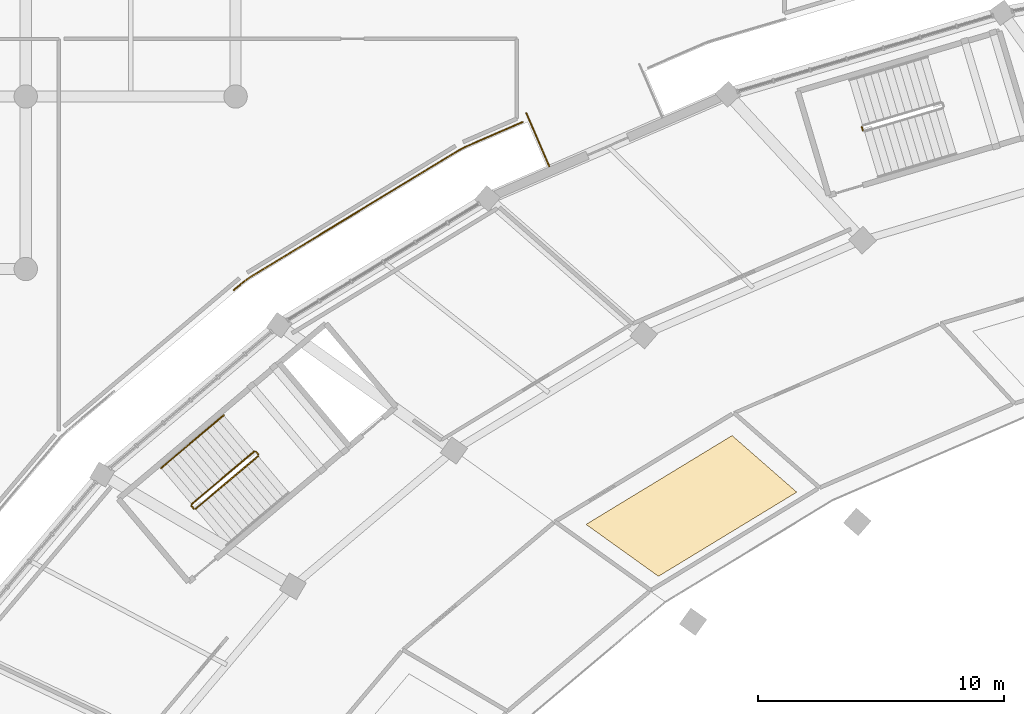
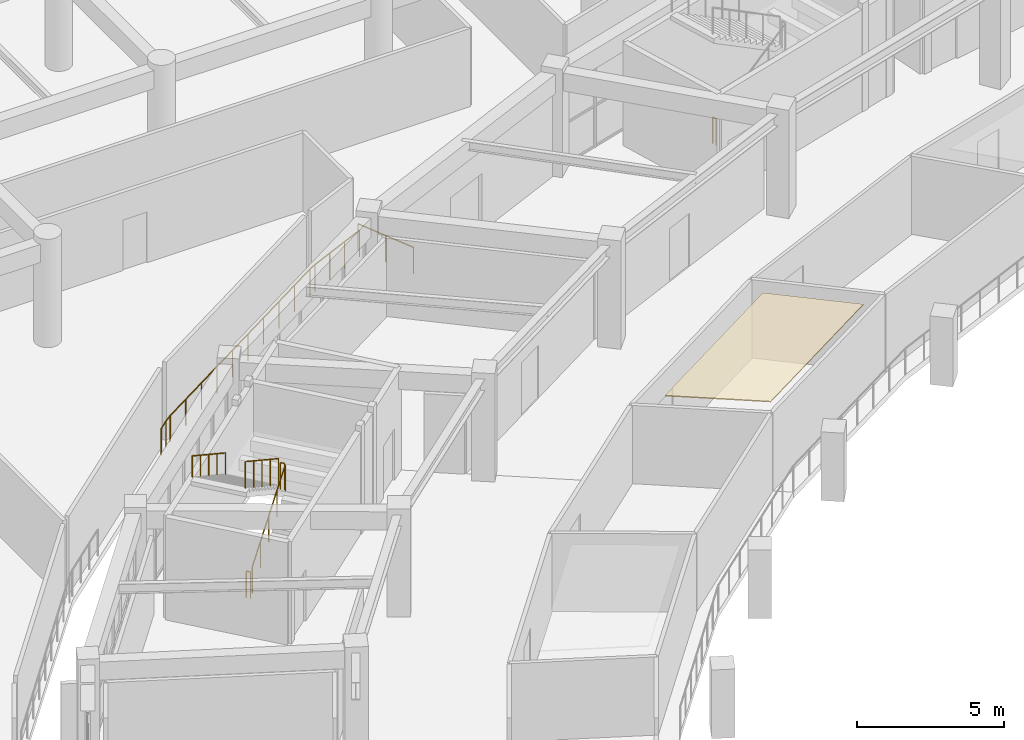
# One storey, part 133 of 141: 8 railings, 1 covering.
"""IFC4 building model written with IfcOpenShell, lengths in metres."""

from ifc_helpers import new_model, si_unit, direction, frame, origin, origin_2d, place, context, subcontext, project, spatial, polyline, circle, outline, extrude, material, layer, layer_set, type_object, element, save


model = new_model("IFC4")

# Units and contexts
model_context = context("Model", 3, precision=1e-05, world=origin(), true_north=direction((0.0, 1.0)))
body_context = subcontext(model_context, "Body", "Model", "MODEL_VIEW")
ifc_project = project(units=[si_unit("LENGTHUNIT", "METRE"), si_unit("AREAUNIT", "SQUARE_METRE"), si_unit("VOLUMEUNIT", "CUBIC_METRE"), si_unit("PLANEANGLEUNIT", "RADIAN"), si_unit("MASSUNIT", "GRAM", prefix="KILO")], contexts=[model_context])

# Site, building, storey
site_placement = place(None, origin())
site = spatial("IfcSite", under=ifc_project, at=site_placement, CompositionType="ELEMENT")
building_placement = place(site_placement, origin())
building = spatial("IfcBuilding", under=site, at=building_placement, Name="Mphavela Belvedere Stadium", CompositionType="ELEMENT")
storey_placement = place(building_placement, frame((0.0, 0.0, 14.699951171875)))
storey = spatial("IfcBuildingStorey", under=building, at=storey_placement, Name="L03", CompositionType="ELEMENT", Elevation=14.699951171875)

# Covering
ifc_material_1 = material(Name="Perforated acoustic mineral ceiling tile")
ifc_layer = layer(ifc_material_1, 0.0400390625)
ifc_layer_set = layer_set([ifc_layer], Name="Perforated acoustic mineral ceiling tile")
covering_type = type_object("IfcCoveringType", Name="COV-CEILING-ACOUSTIC", PredefinedType="CEILING", material=ifc_layer_set)
covering_placement = place(storey_placement, frame((0.0, 0.0, 3.199951171875)))
element("IfcCovering", 1, at=covering_placement, inside=storey, type_object=covering_type, Name="Concourse acoustic ceiling L03-18", PredefinedType="CEILING", context=body_context, shape_type="SweptSolid", body=[
    extrude(outline(polyline([(56.8544921875, 136.93896484375), (51.23974609375, 133.523193359375), (48.300537109375, 135.629150390625), (54.229248046875, 139.236083984375), (56.8544921875, 136.93896484375)])), origin(), (0.0, 0.0, 1.0), 0.0400390625),
])

# Railings
ifc_material_2 = material(Name="Bronze and laminated glass stadium balustrade", Category="glass")
railing_type_1 = type_object("IfcRailingType", Name="RAL-BALUSTRADE-1120", PredefinedType="BALUSTRADE", material=ifc_material_2)
railing_1_placement = place(storey_placement, frame((46.809814453125, 150.165283203125, 0.0)))
element("IfcRailing", 2, at=railing_1_placement, inside=storey, type_object=railing_type_1, Name="Colonnade link bridge balustrade L03-17B", PredefinedType="BALUSTRADE", context=body_context, shape_type="SweptSolid", body=[
    extrude(circle(Radius=0.02392578125, at=origin_2d()), frame((0.0, 0.0, 1.09619140625), z_axis=(-0.397802772945, 0.91747095531, 0.0), x_axis=(-0.91747095531, -0.397802772945, 0.0)), (0.0, 0.0, 1.0), 2.349853515625),
    extrude(circle(Radius=0.02099609375, at=origin_2d()), origin(), (0.0, 0.0, 1.0), 1.072021484375),
    extrude(circle(Radius=0.02099609375, at=origin_2d()), frame((-0.46728515625, 1.078125, 0.0)), (0.0, 0.0, 1.0), 1.072021484375),
    extrude(circle(Radius=0.02099609375, at=origin_2d()), frame((-0.934814453125, 2.156005859375, 0.0)), (0.0, 0.0, 1.0), 1.072021484375),
])
railing_2_placement = place(storey_placement, frame((45.7255859375, 151.96240234375, 0.0)))
element("IfcRailing", 3, at=railing_2_placement, inside=storey, type_object=railing_type_1, Name="Peristyle wing gallery edge balustrade L03-34", PredefinedType="BALUSTRADE", context=body_context, shape_type="SweptSolid", body=[
    extrude(circle(Radius=0.02392578125, at=origin_2d()), frame((0.0, 0.0, 1.09619140625), z_axis=(-0.917490104343, -0.397758605731, 0.0), x_axis=(0.397758605731, -0.917490104343, 0.0)), (0.0, 0.0, 1.0), 2.5380859375),
    extrude(circle(Radius=0.02392578125, at=origin_2d()), frame((-2.32861328125, -1.009521484375, 1.09619140625), z_axis=(-0.887624752967, -0.460567365236, 0.0), x_axis=(0.460567365236, -0.887624752967, 0.0)), (0.0, 0.0, 1.0), 0.313232421875),
    extrude(circle(Radius=0.02392578125, at=origin_2d()), frame((-2.606689453125, -1.15380859375, 1.09619140625), z_axis=(-0.854333268174, -0.519725568826, 0.0), x_axis=(0.519725568826, -0.854333268174, 0.0)), (0.0, 0.0, 1.0), 9.90185546875),
    extrude(circle(Radius=0.02392578125, at=origin_2d()), frame((-11.066162109375, -6.300048828125, 1.09619140625), z_axis=(-0.81202574752, -0.583621611462, 0.0), x_axis=(0.583621611462, -0.81202574752, 0.0)), (0.0, 0.0, 1.0), 0.348388671875),
    extrude(circle(Radius=0.02392578125, at=origin_2d()), frame((-11.34912109375, -6.50341796875, 1.09619140625), z_axis=(-0.764291483508, -0.64487093921, 0.0), x_axis=(0.64487093921, -0.764291483508, 0.0)), (0.0, 0.0, 1.0), 0.49072265625),
    extrude(circle(Radius=0.02099609375, at=origin_2d()), origin(), (0.0, 0.0, 1.0), 1.072021484375),
    extrude(circle(Radius=0.02099609375, at=origin_2d()), frame((-0.776123046875, -0.33642578125, 0.0)), (0.0, 0.0, 1.0), 1.072021484375),
    extrude(circle(Radius=0.02099609375, at=origin_2d()), frame((-1.552490234375, -0.673095703125, 0.0)), (0.0, 0.0, 1.0), 1.072021484375),
    extrude(circle(Radius=0.02099609375, at=origin_2d()), frame((-2.32861328125, -1.009521484375, 0.0)), (0.0, 0.0, 1.0), 1.072021484375),
    extrude(circle(Radius=0.02099609375, at=origin_2d()), frame((-2.606689453125, -1.15380859375, 0.0)), (0.0, 0.0, 1.0), 1.072021484375),
    extrude(circle(Radius=0.02099609375, at=origin_2d()), frame((-3.546630859375, -1.7255859375, 0.0)), (0.0, 0.0, 1.0), 1.072021484375),
    extrude(circle(Radius=0.02099609375, at=origin_2d()), frame((-4.486572265625, -2.29736328125, 0.0)), (0.0, 0.0, 1.0), 1.072021484375),
    extrude(circle(Radius=0.02099609375, at=origin_2d()), frame((-5.426513671875, -2.869140625, 0.0)), (0.0, 0.0, 1.0), 1.072021484375),
    extrude(circle(Radius=0.02099609375, at=origin_2d()), frame((-6.366455078125, -3.44091796875, 0.0)), (0.0, 0.0, 1.0), 1.072021484375),
    extrude(circle(Radius=0.02099609375, at=origin_2d()), frame((-7.306396484375, -4.012939453125, 0.0)), (0.0, 0.0, 1.0), 1.072021484375),
    extrude(circle(Radius=0.02099609375, at=origin_2d()), frame((-8.246337890625, -4.584716796875, 0.0)), (0.0, 0.0, 1.0), 1.072021484375),
    extrude(circle(Radius=0.02099609375, at=origin_2d()), frame((-9.186279296875, -5.156494140625, 0.0)), (0.0, 0.0, 1.0), 1.072021484375),
    extrude(circle(Radius=0.02099609375, at=origin_2d()), frame((-10.126220703125, -5.728271484375, 0.0)), (0.0, 0.0, 1.0), 1.072021484375),
    extrude(circle(Radius=0.02099609375, at=origin_2d()), frame((-11.066162109375, -6.300048828125, 0.0)), (0.0, 0.0, 1.0), 1.072021484375),
    extrude(circle(Radius=0.02099609375, at=origin_2d()), frame((-11.34912109375, -6.50341796875, 0.0)), (0.0, 0.0, 1.0), 1.072021484375),
    extrude(circle(Radius=0.02099609375, at=origin_2d()), frame((-11.72412109375, -6.81982421875, 0.0)), (0.0, 0.0, 1.0), 1.072021484375),
])
ifc_material_3 = material(Name="Painted galvanised steel stair guardrail", Category="steel")
railing_type_2 = type_object("IfcRailingType", Name="RAL-GUARD-1120", PredefinedType="GUARDRAIL", material=ifc_material_3)
railing_3_placement = place(storey_placement, frame((32.448974609375, 136.259033203125, 0.1875)))
element("IfcRailing", 4, at=railing_3_placement, inside=storey, type_object=railing_type_2, Name="L03 ST-C05 stair guard 1", PredefinedType="GUARDRAIL", context=body_context, shape_type="SweptSolid", body=[
    extrude(circle(Radius=0.02392578125, at=origin_2d()), frame((0.0, 0.0, 1.09619140625), z_axis=(0.649292927497, 0.547893589652, 0.527476358447), x_axis=(-0.644907161276, 0.76426091967, 0.0)), (0.0, 0.0, 1.0), 3.91015625),
    extrude(circle(Radius=0.02099609375, at=origin_2d()), origin(), (0.0, 0.0, 1.0), 1.072021484375),
    extrude(circle(Radius=0.02099609375, at=origin_2d()), frame((0.634765625, 0.53564453125, 0.515625)), (0.0, 0.0, 1.0), 1.072021484375),
    extrude(circle(Radius=0.02099609375, at=origin_2d()), frame((1.26953125, 1.0712890625, 1.03125)), (0.0, 0.0, 1.0), 1.072021484375),
    extrude(circle(Radius=0.02099609375, at=origin_2d()), frame((1.904052734375, 1.606689453125, 1.546875)), (0.0, 0.0, 1.0), 1.072021484375),
    extrude(circle(Radius=0.02099609375, at=origin_2d()), frame((2.538818359375, 2.142333984375, 2.0625)), (0.0, 0.0, 1.0), 1.072021484375),
])
railing_4_placement = place(storey_placement, frame((34.99365234375, 138.471923828125, 2.25)))
element("IfcRailing", 5, at=railing_4_placement, inside=storey, type_object=railing_type_2, Name="L03 ST-C05 stair guard 2", PredefinedType="GUARDRAIL", context=body_context, shape_type="SweptSolid", body=[
    extrude(circle(Radius=0.02392578125, at=origin_2d()), frame((0.0, 0.0, 1.09619140625), z_axis=(-0.645138550365, 0.764065606367, 0.0), x_axis=(-0.764065606367, -0.645138550365, 0.0)), (0.0, 0.0, 1.0), 0.14990234375),
    extrude(circle(Radius=0.02099609375, at=origin_2d()), origin(), (0.0, 0.0, 1.0), 1.072021484375),
    extrude(circle(Radius=0.02099609375, at=origin_2d()), frame((-0.0966796875, 0.114501953125, 0.0)), (0.0, 0.0, 1.0), 1.072021484375),
])
railing_5_placement = place(storey_placement, frame((34.82666015625, 138.592529296875, 2.4375)))
element("IfcRailing", 6, at=railing_5_placement, inside=storey, type_object=railing_type_2, Name="L03 ST-C05 stair guard 3", PredefinedType="GUARDRAIL", context=body_context, shape_type="SweptSolid", body=[
    extrude(circle(Radius=0.02392578125, at=origin_2d()), frame((0.0, 0.0, 1.09619140625), z_axis=(-0.649270715457, -0.547937282321, 0.527458313702), x_axis=(0.644950085505, -0.764224696805, 0.0)), (0.0, 0.0, 1.0), 3.91015625),
    extrude(circle(Radius=0.02099609375, at=origin_2d()), origin(), (0.0, 0.0, 1.0), 1.072021484375),
    extrude(circle(Radius=0.02099609375, at=origin_2d()), frame((-0.634765625, -0.53564453125, 0.515625)), (0.0, 0.0, 1.0), 1.072021484375),
    extrude(circle(Radius=0.02099609375, at=origin_2d()), frame((-1.26953125, -1.0712890625, 1.03125)), (0.0, 0.0, 1.0), 1.072021484375),
    extrude(circle(Radius=0.02099609375, at=origin_2d()), frame((-1.904052734375, -1.60693359375, 1.546875)), (0.0, 0.0, 1.0), 1.072021484375),
    extrude(circle(Radius=0.02099609375, at=origin_2d()), frame((-2.538818359375, -2.142578125, 2.0625)), (0.0, 0.0, 1.0), 1.072021484375),
])
railing_6_placement = place(storey_placement, frame((32.37841796875, 136.264892578125, 0.0)))
element("IfcRailing", 7, at=railing_6_placement, inside=storey, type_object=railing_type_2, Name="L03 ST-C05 stair guard 4", PredefinedType="GUARDRAIL", context=body_context, shape_type="SweptSolid", body=[
    extrude(circle(Radius=0.02392578125, at=origin_2d()), frame((0.0, 0.0, 1.09619140625), z_axis=(-0.645138550365, 0.764065606367, 0.0), x_axis=(-0.764065606367, -0.645138550365, 0.0)), (0.0, 0.0, 1.0), 0.14990234375),
    extrude(circle(Radius=0.02099609375, at=origin_2d()), origin(), (0.0, 0.0, 1.0), 1.072021484375),
    extrude(circle(Radius=0.02099609375, at=origin_2d()), frame((-0.0966796875, 0.114501953125, 0.0)), (0.0, 0.0, 1.0), 1.072021484375),
])
railing_7_placement = place(storey_placement, frame((59.537841796875, 151.6201171875, 0.0)))
element("IfcRailing", 8, at=railing_7_placement, inside=storey, type_object=railing_type_2, Name="L03 ST-P03 stair guard 4", PredefinedType="GUARDRAIL", context=body_context, shape_type="SweptSolid", body=[
    extrude(circle(Radius=0.02392578125, at=origin_2d()), frame((0.0, 0.0, 1.09619140625), z_axis=(-0.284808608521, 0.958584402394, 0.0), x_axis=(-0.958584402394, -0.284808608521, 0.0)), (0.0, 0.0, 1.0), 0.14990234375),
    extrude(circle(Radius=0.02099609375, at=origin_2d()), origin(), (0.0, 0.0, 1.0), 1.072021484375),
    extrude(circle(Radius=0.02099609375, at=origin_2d()), frame((-0.042724609375, 0.143798828125, 0.0)), (0.0, 0.0, 1.0), 1.072021484375),
])
ifc_material_4 = material(Name="Brushed stainless steel tubular handrail", Category="steel")
railing_type_3 = type_object("IfcRailingType", Name="RAL-HANDRAIL-900", PredefinedType="HANDRAIL", material=ifc_material_4)
railing_8_placement = place(storey_placement, frame((33.58837890625, 140.059814453125, 2.4375)))
element("IfcRailing", 9, at=railing_8_placement, inside=storey, type_object=railing_type_3, Name="L03 ST-C05 stair handrail 2", PredefinedType="HANDRAIL", context=body_context, shape_type="SweptSolid", body=[
    extrude(circle(Radius=0.02392578125, at=origin_2d()), frame((0.0, 0.0, 0.8759765625), z_axis=(-0.649270715457, -0.547937282321, 0.527458313702), x_axis=(0.644950085505, -0.764224696805, 0.0)), (0.0, 0.0, 1.0), 3.91015625),
    extrude(circle(Radius=0.02099609375, at=origin_2d()), origin(), (0.0, 0.0, 1.0), 0.851806640625),
    extrude(circle(Radius=0.02099609375, at=origin_2d()), frame((-0.634765625, -0.53564453125, 0.515625)), (0.0, 0.0, 1.0), 0.851806640625),
    extrude(circle(Radius=0.02099609375, at=origin_2d()), frame((-1.26953125, -1.0712890625, 1.03125)), (0.0, 0.0, 1.0), 0.851806640625),
    extrude(circle(Radius=0.02099609375, at=origin_2d()), frame((-1.904052734375, -1.60693359375, 1.546875)), (0.0, 0.0, 1.0), 0.851806640625),
    extrude(circle(Radius=0.02099609375, at=origin_2d()), frame((-2.538818359375, -2.142578125, 2.0625)), (0.0, 0.0, 1.0), 0.851806640625),
])

save(model, "model.ifc")
